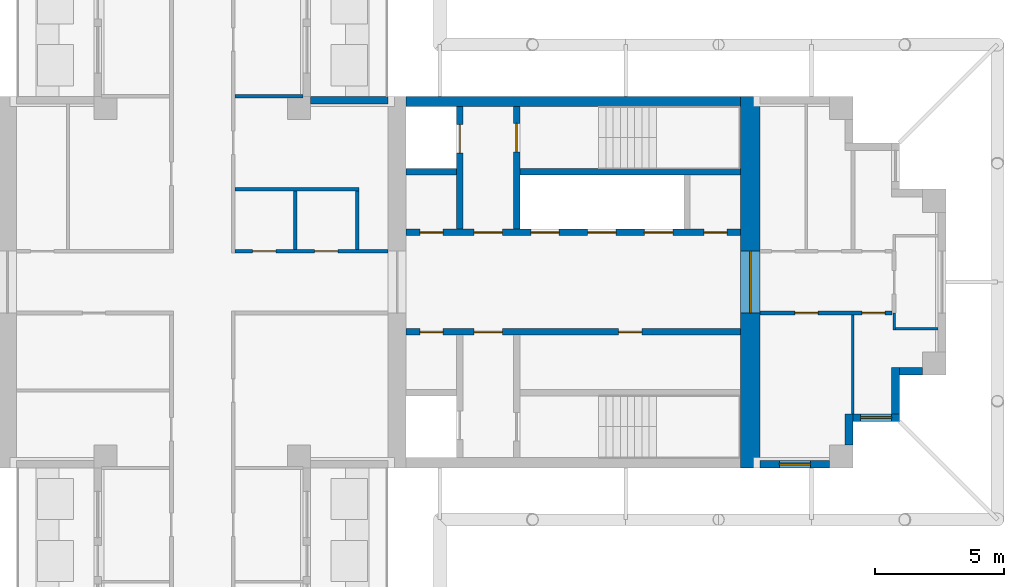
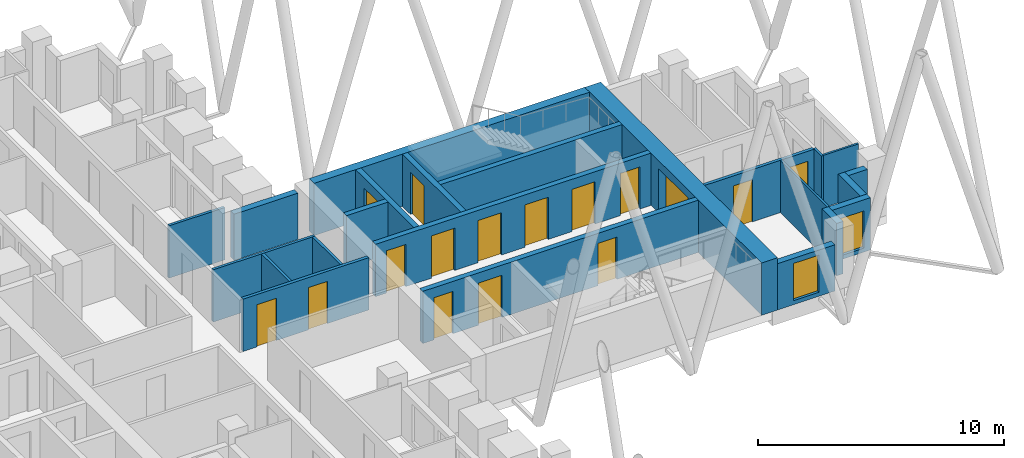
# One storey, part 6 of 11: 23 walls, 16 doors, 2 windows, 18 openings.
"""IFC4 building model written with IfcOpenShell, lengths in metres."""

from ifc_helpers import new_model, si_unit, direction, frame, frame_2d, origin, place, context, subcontext, project, spatial, rectangle, extrude, material, layer, layer_set, type_object, element, fill, save


model = new_model("IFC4")

# Units and contexts
model_context = context("Model", 3, precision=1e-05, world=origin(), true_north=direction((0.0, 1.0)))
body_context = subcontext(model_context, "Body", "Model", "MODEL_VIEW")
ifc_project = project(units=[si_unit("LENGTHUNIT", "METRE"), si_unit("AREAUNIT", "SQUARE_METRE"), si_unit("VOLUMEUNIT", "CUBIC_METRE"), si_unit("PLANEANGLEUNIT", "RADIAN"), si_unit("MASSUNIT", "GRAM", prefix="KILO")], contexts=[model_context])

# Site, building, storey
site_placement = place(None, origin())
site = spatial("IfcSite", under=ifc_project, at=site_placement, CompositionType="ELEMENT")
building_placement = place(site_placement, origin())
building = spatial("IfcBuilding", under=site, at=building_placement, Name="Fustian Cross Tower", CompositionType="ELEMENT")
storey_placement = place(building_placement, frame((0.0, 0.0, 222.89990234375)))
storey = spatial("IfcBuildingStorey", under=building, at=storey_placement, Name="L70", CompositionType="ELEMENT", Elevation=222.89990234375)

# Wall, openings, doors
ifc_material_1 = material(Name="Plasterboard on steel stud", Category="steel")
ifc_layer_1 = layer(ifc_material_1, 0.14990234375)
ifc_layer_set_1 = layer_set([ifc_layer_1], Name="Plasterboard on steel stud")
wall_type_1 = type_object("IfcWallType", Name="COMPARTMENT WALL 150 EI 60", PredefinedType="PARTITIONING", material=ifc_layer_set_1)
wall_1_placement = place(storey_placement, frame((1.27490234375, 1.199951171875, 0.0), z_axis=(0.0, 0.0, 1.0), x_axis=(1.0, 0.0, 0.0)))
wall_1 = element("IfcWall", 1, at=wall_1_placement, inside=storey, type_object=wall_type_1, Name="Partition 40", PredefinedType="PARTITIONING", context=body_context, shape_type="SweptSolid", body=[
    extrude(rectangle(XDim=5.925048828125, YDim=0.14990234375, at=frame_2d((2.96240234375, 0.0))), origin(), (0.0, 0.0, 1.0), 2.60009765625),
])
opening_1_placement = place(wall_1_placement, frame((0.675048828125, 0.0, 0.0)))
opening_1 = element("IfcOpeningElement", 2, at=opening_1_placement, cuts=wall_1, Name="Opening D31001", PredefinedType="OPENING", context=body_context, shape_type="SweptSolid", body=[
    extrude(rectangle(XDim=0.89990234375, YDim=2.10009765625, at=frame_2d((0.449951171875, 1.050048828125))), frame((0.0, 0.0849609375, 0.0), z_axis=(0.0, -1.0, 0.0), x_axis=(1.0, 0.0, 0.0)), (0.0, 0.0, 1.0), 0.169921875),
])
opening_2_placement = place(wall_1_placement, frame((3.074951171875, 0.0, 0.0)))
opening_2 = element("IfcOpeningElement", 3, at=opening_2_placement, cuts=wall_1, Name="Opening D31002", PredefinedType="OPENING", context=body_context, shape_type="SweptSolid", body=[
    extrude(rectangle(XDim=0.89990234375, YDim=2.10009765625, at=frame_2d((0.449951171875, 1.050048828125))), frame((0.0, 0.0849609375, 0.0), z_axis=(0.0, -1.0, 0.0), x_axis=(1.0, 0.0, 0.0)), (0.0, 0.0, 1.0), 0.169921875),
])
ifc_material_2 = material(Name="Timber fire door set", Category="wood")
door_type_1 = type_object("IfcDoorType", Name="FIRE SWING DOOR 900 FD30S", OperationType="SINGLE_SWING_LEFT", PredefinedType="DOOR", material=ifc_material_2)
door_1_placement = place(opening_1_placement, origin())
door_1 = element("IfcDoor", 4, at=door_1_placement, inside=storey, type_object=door_type_1, Name="Door D31001", OperationType="SINGLE_SWING_LEFT", OverallHeight=2.10009765625, OverallWidth=0.89990234375, PredefinedType="DOOR", context=body_context, shape_type="SweptSolid", body=[
    extrude(rectangle(XDim=0.89990234375, YDim=2.10009765625, at=frame_2d((0.449951171875, 1.050048828125))), frame((0.0, 0.02490234375, 0.0), z_axis=(0.0, -1.0, 0.0), x_axis=(1.0, 0.0, 0.0)), (0.0, 0.0, 1.0), 0.050048828125),
])
fill(opening_1, door_1)
door_2_placement = place(opening_2_placement, origin())
door_2 = element("IfcDoor", 5, at=door_2_placement, inside=storey, type_object=door_type_1, Name="Door D31002", OperationType="SINGLE_SWING_LEFT", OverallHeight=2.10009765625, OverallWidth=0.89990234375, PredefinedType="DOOR", context=body_context, shape_type="SweptSolid", body=[
    extrude(rectangle(XDim=0.89990234375, YDim=2.10009765625, at=frame_2d((0.449951171875, 1.050048828125))), frame((0.0, 0.02490234375, 0.0), z_axis=(0.0, -1.0, 0.0), x_axis=(1.0, 0.0, 0.0)), (0.0, 0.0, 1.0), 0.050048828125),
])
fill(opening_2, door_2)

wall_2_placement = place(storey_placement, frame((21.60009765625, -1.199951171875, 0.0), z_axis=(0.0, 0.0, 1.0), x_axis=(1.0, 0.0, 0.0)))
wall_2 = element("IfcWall", 6, at=wall_2_placement, inside=storey, type_object=wall_type_1, Name="Partition 50", PredefinedType="PARTITIONING", context=body_context, shape_type="SweptSolid", body=[
    extrude(rectangle(XDim=5.125, YDim=0.14990234375, at=frame_2d((2.5625, 0.0))), origin(), (0.0, 0.0, 1.0), 2.60009765625),
])
opening_3_placement = place(wall_2_placement, frame((1.35009765625, 0.0, 0.0)))
opening_3 = element("IfcOpeningElement", 7, at=opening_3_placement, cuts=wall_2, Name="Opening D31013", PredefinedType="OPENING", context=body_context, shape_type="SweptSolid", body=[
    extrude(rectangle(XDim=0.89990234375, YDim=2.10009765625, at=frame_2d((0.449951171875, 1.050048828125))), frame((0.0, 0.0849609375, 0.0), z_axis=(0.0, -1.0, 0.0), x_axis=(1.0, 0.0, 0.0)), (0.0, 0.0, 1.0), 0.169921875),
])
opening_4_placement = place(wall_2_placement, frame((3.949951171875, 0.0, 0.0)))
opening_4 = element("IfcOpeningElement", 8, at=opening_4_placement, cuts=wall_2, Name="Opening D31014", PredefinedType="OPENING", context=body_context, shape_type="SweptSolid", body=[
    extrude(rectangle(XDim=0.89990234375, YDim=2.10009765625, at=frame_2d((0.449951171875, 1.050048828125))), frame((0.0, 0.0849609375, 0.0), z_axis=(0.0, -1.0, 0.0), x_axis=(1.0, 0.0, 0.0)), (0.0, 0.0, 1.0), 0.169921875),
])
door_3_placement = place(opening_3_placement, frame((0.89990234375, 0.0, 0.0), z_axis=(0.0, 0.0, 1.0), x_axis=(-1.0, 0.0, 0.0)))
door_3 = element("IfcDoor", 9, at=door_3_placement, inside=storey, type_object=door_type_1, Name="Door D31013", OperationType="SINGLE_SWING_RIGHT", OverallHeight=2.10009765625, OverallWidth=0.89990234375, PredefinedType="DOOR", context=body_context, shape_type="SweptSolid", body=[
    extrude(rectangle(XDim=0.89990234375, YDim=2.10009765625, at=frame_2d((0.449951171875, 1.050048828125))), frame((0.0, 0.02490234375, 0.0), z_axis=(0.0, -1.0, 0.0), x_axis=(1.0, 0.0, 0.0)), (0.0, 0.0, 1.0), 0.050048828125),
])
fill(opening_3, door_3)
door_4_placement = place(opening_4_placement, frame((0.89990234375, 0.0, 0.0), z_axis=(0.0, 0.0, 1.0), x_axis=(-1.0, 0.0, 0.0)))
door_4 = element("IfcDoor", 10, at=door_4_placement, inside=storey, type_object=door_type_1, Name="Door D31014", OperationType="SINGLE_SWING_RIGHT", OverallHeight=2.10009765625, OverallWidth=0.89990234375, PredefinedType="DOOR", context=body_context, shape_type="SweptSolid", body=[
    extrude(rectangle(XDim=0.89990234375, YDim=2.10009765625, at=frame_2d((0.449951171875, 1.050048828125))), frame((0.0, 0.02490234375, 0.0), z_axis=(0.0, -1.0, 0.0), x_axis=(1.0, 0.0, 0.0)), (0.0, 0.0, 1.0), 0.050048828125),
])
fill(opening_4, door_4)

# Wall, opening, door
ifc_material_3 = material(Name="Concrete C50/60", Category="concrete")
ifc_layer_2 = layer(ifc_material_3, 0.75)
ifc_layer_set_2 = layer_set([ifc_layer_2], Name="Concrete C50/60")
wall_type_2 = type_object("IfcWallType", Name="CORE END WALL 750 C50/60", PredefinedType="SHEAR", material=ifc_layer_set_2)
wall_3_placement = place(storey_placement, frame((21.22509765625, -7.199951171875, 0.0), z_axis=(0.0, 0.0, 1.0), x_axis=(0.0, 1.0, 0.0)))
wall_3 = element("IfcWall", 11, at=wall_3_placement, inside=storey, type_object=wall_type_2, Name="Core end wall", PredefinedType="SHEAR", context=body_context, shape_type="SweptSolid", body=[
    extrude(rectangle(XDim=14.39990234375, YDim=0.75, at=frame_2d((7.199951171875, 0.0))), origin(), (0.0, 0.0, 1.0), 2.60009765625),
])
opening_5_placement = place(wall_3_placement, frame((6.0, 0.0, 0.0)))
opening_5 = element("IfcOpeningElement", 12, at=opening_5_placement, cuts=wall_3, Name="Opening CD-29-13", PredefinedType="OPENING", context=body_context, shape_type="SweptSolid", body=[
    extrude(rectangle(XDim=2.39990234375, YDim=2.199951171875, at=frame_2d((1.199951171875, 1.10009765625))), frame((0.0, 0.385009765625, 0.0), z_axis=(0.0, -1.0, 0.0), x_axis=(1.0, 0.0, 0.0)), (0.0, 0.0, 1.0), 0.77001953125),
])
ifc_material_4 = material(Name="Steel", Category="steel")
door_type_2 = type_object("IfcDoorType", Name="FIRE DOOR FD30S DOUBLE 2400X2200", OperationType="DOUBLE_DOOR_DOUBLE_SWING", PredefinedType="DOOR", material=ifc_material_4)
door_5_placement = place(opening_5_placement, origin())
door_5 = element("IfcDoor", 13, at=door_5_placement, inside=storey, type_object=door_type_2, Name="Core door CD-29-13", OperationType="DOUBLE_DOOR_DOUBLE_SWING", OverallHeight=2.199951171875, OverallWidth=2.39990234375, PredefinedType="DOOR", context=body_context, shape_type="SweptSolid", body=[
    extrude(rectangle(XDim=2.39990234375, YDim=2.199951171875, at=frame_2d((1.199951171875, 1.10009765625))), frame((0.0, 0.02490234375, 0.0), z_axis=(0.0, -1.0, 0.0), x_axis=(1.0, 0.0, 0.0)), (0.0, 0.0, 1.0), 0.050048828125),
])
fill(opening_5, door_5)

# Wall
ifc_material_5 = material(Name="Concrete C50/60", Category="concrete")
ifc_layer_3 = layer(ifc_material_5, 0.39990234375)
ifc_layer_set_3 = layer_set([ifc_layer_3], Name="Concrete C50/60")
wall_type_3 = type_object("IfcWallType", Name="CORE FACADE WALL 400 C50/60", PredefinedType="SHEAR", material=ifc_layer_set_3)
wall_4_placement = place(storey_placement, frame((7.89990234375, 7.0, 0.0), z_axis=(0.0, 0.0, 1.0), x_axis=(1.0, 0.0, 0.0)))
element("IfcWall", 14, at=wall_4_placement, inside=storey, type_object=wall_type_3, Name="Core facade wall", PredefinedType="SHEAR", context=body_context, shape_type="SweptSolid", body=[
    extrude(rectangle(XDim=12.9501953125, YDim=0.39990234375, at=frame_2d((6.47509765625, 0.0))), origin(), (0.0, 0.0, 1.0), 2.60009765625),
])

# Wall, openings, doors
ifc_material_6 = material(Name="Concrete C50/60", Category="concrete")
ifc_layer_4 = layer(ifc_material_6, 0.25)
ifc_layer_set_4 = layer_set([ifc_layer_4], Name="Concrete C50/60")
wall_type_4 = type_object("IfcWallType", Name="CORE LOBBY WALL 250 C50/60", PredefinedType="SHEAR", material=ifc_layer_set_4)
wall_5_placement = place(storey_placement, frame((7.89990234375, 1.925048828125, 0.0), z_axis=(0.0, 0.0, 1.0), x_axis=(1.0, 0.0, 0.0)))
wall_5 = element("IfcWall", 15, at=wall_5_placement, inside=storey, type_object=wall_type_4, Name="Core lobby wall", PredefinedType="SHEAR", context=body_context, shape_type="SweptSolid", body=[
    extrude(rectangle(XDim=12.9501953125, YDim=0.25, at=frame_2d((6.47509765625, 0.0))), origin(), (0.0, 0.0, 1.0), 2.60009765625),
])
opening_6_placement = place(wall_5_placement, frame((4.824951171875, 0.0, 0.0)))
opening_6 = element("IfcOpeningElement", 16, at=opening_6_placement, cuts=wall_5, Name="Opening LD", PredefinedType="OPENING", context=body_context, shape_type="SweptSolid", body=[
    extrude(rectangle(XDim=1.10009765625, YDim=2.10009765625, at=frame_2d((0.550048828125, 1.050048828125))), frame((0.0, 0.135009765625, 0.0), z_axis=(0.0, -1.0, 0.0), x_axis=(1.0, 0.0, 0.0)), (0.0, 0.0, 1.0), 0.27001953125),
])
opening_7_placement = place(wall_5_placement, frame((7.02490234375, 0.0, 0.0)))
opening_7 = element("IfcOpeningElement", 17, at=opening_7_placement, cuts=wall_5, Name="Opening LD", PredefinedType="OPENING", context=body_context, shape_type="SweptSolid", body=[
    extrude(rectangle(XDim=1.10009765625, YDim=2.10009765625, at=frame_2d((0.550048828125, 1.050048828125))), frame((0.0, 0.135009765625, 0.0), z_axis=(0.0, -1.0, 0.0), x_axis=(1.0, 0.0, 0.0)), (0.0, 0.0, 1.0), 0.27001953125),
])
opening_8_placement = place(wall_5_placement, frame((9.22509765625, 0.0, 0.0)))
opening_8 = element("IfcOpeningElement", 18, at=opening_8_placement, cuts=wall_5, Name="Opening LD", PredefinedType="OPENING", context=body_context, shape_type="SweptSolid", body=[
    extrude(rectangle(XDim=1.10009765625, YDim=2.10009765625, at=frame_2d((0.550048828125, 1.050048828125))), frame((0.0, 0.135009765625, 0.0), z_axis=(0.0, -1.0, 0.0), x_axis=(1.0, 0.0, 0.0)), (0.0, 0.0, 1.0), 0.27001953125),
])
opening_9_placement = place(wall_5_placement, frame((0.52490234375, 0.0, 0.0)))
opening_9 = element("IfcOpeningElement", 19, at=opening_9_placement, cuts=wall_5, Name="Opening CD-29-08", PredefinedType="OPENING", context=body_context, shape_type="SweptSolid", body=[
    extrude(rectangle(XDim=0.89990234375, YDim=2.10009765625, at=frame_2d((0.449951171875, 1.050048828125))), frame((0.0, 0.135009765625, 0.0), z_axis=(0.0, -1.0, 0.0), x_axis=(1.0, 0.0, 0.0)), (0.0, 0.0, 1.0), 0.27001953125),
])
opening_10_placement = place(wall_5_placement, frame((2.625, 0.0, 0.0)))
opening_10 = element("IfcOpeningElement", 20, at=opening_10_placement, cuts=wall_5, Name="Opening CD-29-10", PredefinedType="OPENING", context=body_context, shape_type="SweptSolid", body=[
    extrude(rectangle(XDim=1.10009765625, YDim=2.10009765625, at=frame_2d((0.550048828125, 1.050048828125))), frame((0.0, 0.135009765625, 0.0), z_axis=(0.0, -1.0, 0.0), x_axis=(1.0, 0.0, 0.0)), (0.0, 0.0, 1.0), 0.27001953125),
])
opening_11_placement = place(wall_5_placement, frame((11.52490234375, 0.0, 0.0)))
opening_11 = element("IfcOpeningElement", 21, at=opening_11_placement, cuts=wall_5, Name="Opening CD-29-14", PredefinedType="OPENING", context=body_context, shape_type="SweptSolid", body=[
    extrude(rectangle(XDim=0.89990234375, YDim=2.10009765625, at=frame_2d((0.449951171875, 1.050048828125))), frame((0.0, 0.135009765625, 0.0), z_axis=(0.0, -1.0, 0.0), x_axis=(1.0, 0.0, 0.0)), (0.0, 0.0, 1.0), 0.27001953125),
])
ifc_material_7 = material(Name="Steel", Category="steel")
door_type_3 = type_object("IfcDoorType", Name="FIRE DOOR FD30S 900X2100", OperationType="SINGLE_SWING_LEFT", PredefinedType="DOOR", material=ifc_material_7)
door_6_placement = place(opening_11_placement, origin())
door_6 = element("IfcDoor", 22, at=door_6_placement, inside=storey, type_object=door_type_3, Name="Core door CD-29-14", OperationType="SINGLE_SWING_LEFT", OverallHeight=2.10009765625, OverallWidth=0.89990234375, PredefinedType="DOOR", context=body_context, shape_type="SweptSolid", body=[
    extrude(rectangle(XDim=0.89990234375, YDim=2.10009765625, at=frame_2d((0.449951171875, 1.050048828125))), frame((0.0, 0.02490234375, 0.0), z_axis=(0.0, -1.0, 0.0), x_axis=(1.0, 0.0, 0.0)), (0.0, 0.0, 1.0), 0.050048828125),
])
fill(opening_11, door_6)
ifc_material_8 = material(Name="Steel", Category="steel")
door_type_4 = type_object("IfcDoorType", Name="FIRE DOOR FD60S 1100X2100", OperationType="SINGLE_SWING_LEFT", PredefinedType="DOOR", material=ifc_material_8)
door_7_placement = place(opening_10_placement, frame((1.10009765625, 0.0, 0.0), z_axis=(0.0, 0.0, 1.0), x_axis=(-1.0, 0.0, 0.0)))
door_7 = element("IfcDoor", 23, at=door_7_placement, inside=storey, type_object=door_type_4, Name="Core door CD-29-10", OperationType="SINGLE_SWING_RIGHT", OverallHeight=2.10009765625, OverallWidth=1.10009765625, PredefinedType="DOOR", context=body_context, shape_type="SweptSolid", body=[
    extrude(rectangle(XDim=1.10009765625, YDim=2.10009765625, at=frame_2d((0.550048828125, 1.050048828125))), frame((0.0, 0.02490234375, 0.0), z_axis=(0.0, -1.0, 0.0), x_axis=(1.0, 0.0, 0.0)), (0.0, 0.0, 1.0), 0.050048828125),
])
fill(opening_10, door_7)
ifc_material_9 = material(Name="Steel", Category="steel")
door_type_5 = type_object("IfcDoorType", Name="FIRE DOOR FD60S 900X2100", OperationType="SINGLE_SWING_LEFT", PredefinedType="DOOR", material=ifc_material_9)
door_8_placement = place(opening_9_placement, origin())
door_8 = element("IfcDoor", 24, at=door_8_placement, inside=storey, type_object=door_type_5, Name="Core door CD-29-08", OperationType="SINGLE_SWING_LEFT", OverallHeight=2.10009765625, OverallWidth=0.89990234375, PredefinedType="DOOR", context=body_context, shape_type="SweptSolid", body=[
    extrude(rectangle(XDim=0.89990234375, YDim=2.10009765625, at=frame_2d((0.449951171875, 1.050048828125))), frame((0.0, 0.02490234375, 0.0), z_axis=(0.0, -1.0, 0.0), x_axis=(1.0, 0.0, 0.0)), (0.0, 0.0, 1.0), 0.050048828125),
])
fill(opening_9, door_8)
ifc_material_10 = material(Name="Stainless steel", Category="steel")
door_type_6 = type_object("IfcDoorType", Name="LIFT LANDING DOOR 1100X2100", OperationType="SLIDING_TO_LEFT", PredefinedType="DOOR", material=ifc_material_10)
door_9_placement = place(opening_6_placement, origin())
door_9 = element("IfcDoor", 25, at=door_9_placement, inside=storey, type_object=door_type_6, Name="Landing door HR1", OperationType="SLIDING_TO_LEFT", OverallHeight=2.10009765625, OverallWidth=1.10009765625, PredefinedType="DOOR", context=body_context, shape_type="SweptSolid", body=[
    extrude(rectangle(XDim=1.10009765625, YDim=2.10009765625, at=frame_2d((0.550048828125, 1.050048828125))), frame((0.0, 0.02490234375, 0.0), z_axis=(0.0, -1.0, 0.0), x_axis=(1.0, 0.0, 0.0)), (0.0, 0.0, 1.0), 0.050048828125),
])
fill(opening_6, door_9)
door_10_placement = place(opening_7_placement, origin())
door_10 = element("IfcDoor", 26, at=door_10_placement, inside=storey, type_object=door_type_6, Name="Landing door HR2", OperationType="SLIDING_TO_LEFT", OverallHeight=2.10009765625, OverallWidth=1.10009765625, PredefinedType="DOOR", context=body_context, shape_type="SweptSolid", body=[
    extrude(rectangle(XDim=1.10009765625, YDim=2.10009765625, at=frame_2d((0.550048828125, 1.050048828125))), frame((0.0, 0.02490234375, 0.0), z_axis=(0.0, -1.0, 0.0), x_axis=(1.0, 0.0, 0.0)), (0.0, 0.0, 1.0), 0.050048828125),
])
fill(opening_7, door_10)
door_11_placement = place(opening_8_placement, origin())
door_11 = element("IfcDoor", 27, at=door_11_placement, inside=storey, type_object=door_type_6, Name="Landing door HR3", OperationType="SLIDING_TO_LEFT", OverallHeight=2.10009765625, OverallWidth=1.10009765625, PredefinedType="DOOR", context=body_context, shape_type="SweptSolid", body=[
    extrude(rectangle(XDim=1.10009765625, YDim=2.10009765625, at=frame_2d((0.550048828125, 1.050048828125))), frame((0.0, 0.02490234375, 0.0), z_axis=(0.0, -1.0, 0.0), x_axis=(1.0, 0.0, 0.0)), (0.0, 0.0, 1.0), 0.050048828125),
])
fill(opening_8, door_11)

wall_6_placement = place(storey_placement, frame((7.89990234375, -1.925048828125, 0.0), z_axis=(0.0, 0.0, 1.0), x_axis=(1.0, 0.0, 0.0)))
wall_6 = element("IfcWall", 28, at=wall_6_placement, inside=storey, type_object=wall_type_4, Name="Core lobby wall", PredefinedType="SHEAR", context=body_context, shape_type="SweptSolid", body=[
    extrude(rectangle(XDim=12.9501953125, YDim=0.25, at=frame_2d((6.47509765625, 0.0))), origin(), (0.0, 0.0, 1.0), 2.60009765625),
])
opening_12_placement = place(wall_6_placement, frame((0.52490234375, 0.0, 0.0)))
opening_12 = element("IfcOpeningElement", 29, at=opening_12_placement, cuts=wall_6, Name="Opening CD-29-09", PredefinedType="OPENING", context=body_context, shape_type="SweptSolid", body=[
    extrude(rectangle(XDim=0.89990234375, YDim=2.10009765625, at=frame_2d((0.449951171875, 1.050048828125))), frame((0.0, 0.135009765625, 0.0), z_axis=(0.0, -1.0, 0.0), x_axis=(1.0, 0.0, 0.0)), (0.0, 0.0, 1.0), 0.27001953125),
])
opening_13_placement = place(wall_6_placement, frame((2.625, 0.0, 0.0)))
opening_13 = element("IfcOpeningElement", 30, at=opening_13_placement, cuts=wall_6, Name="Opening CD-29-11", PredefinedType="OPENING", context=body_context, shape_type="SweptSolid", body=[
    extrude(rectangle(XDim=1.10009765625, YDim=2.10009765625, at=frame_2d((0.550048828125, 1.050048828125))), frame((0.0, 0.135009765625, 0.0), z_axis=(0.0, -1.0, 0.0), x_axis=(1.0, 0.0, 0.0)), (0.0, 0.0, 1.0), 0.27001953125),
])
opening_14_placement = place(wall_6_placement, frame((8.22509765625, 0.0, 0.0)))
opening_14 = element("IfcOpeningElement", 31, at=opening_14_placement, cuts=wall_6, Name="Opening CD-29-15", PredefinedType="OPENING", context=body_context, shape_type="SweptSolid", body=[
    extrude(rectangle(XDim=0.89990234375, YDim=2.10009765625, at=frame_2d((0.449951171875, 1.050048828125))), frame((0.0, 0.135009765625, 0.0), z_axis=(0.0, -1.0, 0.0), x_axis=(1.0, 0.0, 0.0)), (0.0, 0.0, 1.0), 0.27001953125),
])
ifc_material_11 = material(Name="Steel", Category="steel")
door_type_7 = type_object("IfcDoorType", Name="FIRE DOOR FD30S 1100X2100", OperationType="SINGLE_SWING_LEFT", PredefinedType="DOOR", material=ifc_material_11)
door_12_placement = place(opening_13_placement, frame((1.10009765625, 0.0, 0.0), z_axis=(0.0, 0.0, 1.0), x_axis=(-1.0, 0.0, 0.0)))
door_12 = element("IfcDoor", 32, at=door_12_placement, inside=storey, type_object=door_type_7, Name="Core door CD-29-11", OperationType="SINGLE_SWING_RIGHT", OverallHeight=2.10009765625, OverallWidth=1.10009765625, PredefinedType="DOOR", context=body_context, shape_type="SweptSolid", body=[
    extrude(rectangle(XDim=1.10009765625, YDim=2.10009765625, at=frame_2d((0.550048828125, 1.050048828125))), frame((0.0, 0.02490234375, 0.0), z_axis=(0.0, -1.0, 0.0), x_axis=(1.0, 0.0, 0.0)), (0.0, 0.0, 1.0), 0.050048828125),
])
fill(opening_13, door_12)
door_13_placement = place(opening_12_placement, frame((0.89990234375, 0.0, 0.0), z_axis=(0.0, 0.0, 1.0), x_axis=(-1.0, 0.0, 0.0)))
door_13 = element("IfcDoor", 33, at=door_13_placement, inside=storey, type_object=door_type_3, Name="Core door CD-29-09", OperationType="SINGLE_SWING_RIGHT", OverallHeight=2.10009765625, OverallWidth=0.89990234375, PredefinedType="DOOR", context=body_context, shape_type="SweptSolid", body=[
    extrude(rectangle(XDim=0.89990234375, YDim=2.10009765625, at=frame_2d((0.449951171875, 1.050048828125))), frame((0.0, 0.02490234375, 0.0), z_axis=(0.0, -1.0, 0.0), x_axis=(1.0, 0.0, 0.0)), (0.0, 0.0, 1.0), 0.050048828125),
])
fill(opening_12, door_13)
door_14_placement = place(opening_14_placement, frame((0.89990234375, 0.0, 0.0), z_axis=(0.0, 0.0, 1.0), x_axis=(-1.0, 0.0, 0.0)))
door_14 = element("IfcDoor", 34, at=door_14_placement, inside=storey, type_object=door_type_3, Name="Core door CD-29-15", OperationType="SINGLE_SWING_LEFT", OverallHeight=2.10009765625, OverallWidth=0.89990234375, PredefinedType="DOOR", context=body_context, shape_type="SweptSolid", body=[
    extrude(rectangle(XDim=0.89990234375, YDim=2.10009765625, at=frame_2d((0.449951171875, 1.050048828125))), frame((0.0, 0.02490234375, 0.0), z_axis=(0.0, -1.0, 0.0), x_axis=(1.0, 0.0, 0.0)), (0.0, 0.0, 1.0), 0.050048828125),
])
fill(opening_14, door_14)

# Walls
ifc_material_12 = material(Name="Concrete C50/60", Category="concrete")
ifc_layer_5 = layer(ifc_material_12, 0.25)
ifc_layer_set_5 = layer_set([ifc_layer_5], Name="Concrete C50/60")
wall_type_5 = type_object("IfcWallType", Name="CORE SHAFT WALL 250 C50/60", PredefinedType="SHEAR", material=ifc_layer_set_5)
wall_7_placement = place(storey_placement, frame((7.89990234375, 4.27490234375, 0.0), z_axis=(0.0, 0.0, 1.0), x_axis=(1.0, 0.0, 0.0)))
element("IfcWall", 35, at=wall_7_placement, inside=storey, type_object=wall_type_5, Name="Core shaft wall", PredefinedType="SHEAR", context=body_context, shape_type="SweptSolid", body=[
    extrude(rectangle(XDim=1.9501953125, YDim=0.25, at=frame_2d((0.97509765625, 0.0))), origin(), (0.0, 0.0, 1.0), 2.60009765625),
])
wall_8_placement = place(storey_placement, frame((12.300048828125, 4.27490234375, 0.0), z_axis=(0.0, 0.0, 1.0), x_axis=(1.0, 0.0, 0.0)))
element("IfcWall", 36, at=wall_8_placement, inside=storey, type_object=wall_type_5, Name="Core shaft wall", PredefinedType="SHEAR", context=body_context, shape_type="SweptSolid", body=[
    extrude(rectangle(XDim=8.550048828125, YDim=0.25, at=frame_2d((4.27490234375, 0.0))), origin(), (0.0, 0.0, 1.0), 2.60009765625),
])

# Wall, opening, door
wall_9_placement = place(storey_placement, frame((9.97509765625, 2.050048828125, 0.0), z_axis=(0.0, 0.0, 1.0), x_axis=(0.0, 1.0, 0.0)))
wall_9 = element("IfcWall", 37, at=wall_9_placement, inside=storey, type_object=wall_type_5, Name="Core shaft wall", PredefinedType="SHEAR", context=body_context, shape_type="SweptSolid", body=[
    extrude(rectangle(XDim=4.75, YDim=0.25, at=frame_2d((2.375, 0.0))), origin(), (0.0, 0.0, 1.0), 2.60009765625),
])
opening_15_placement = place(wall_9_placement, frame((2.949951171875, 0.0, 0.0)))
opening_15 = element("IfcOpeningElement", 38, at=opening_15_placement, cuts=wall_9, Name="Opening LD", PredefinedType="OPENING", context=body_context, shape_type="SweptSolid", body=[
    extrude(rectangle(XDim=1.10009765625, YDim=2.10009765625, at=frame_2d((0.550048828125, 1.050048828125))), frame((0.0, 0.135009765625, 0.0), z_axis=(0.0, -1.0, 0.0), x_axis=(1.0, 0.0, 0.0)), (0.0, 0.0, 1.0), 0.27001953125),
])
door_15_placement = place(opening_15_placement, origin())
door_15 = element("IfcDoor", 39, at=door_15_placement, inside=storey, type_object=door_type_6, Name="Landing door FL1", OperationType="SLIDING_TO_LEFT", OverallHeight=2.10009765625, OverallWidth=1.10009765625, PredefinedType="DOOR", context=body_context, shape_type="SweptSolid", body=[
    extrude(rectangle(XDim=1.10009765625, YDim=2.10009765625, at=frame_2d((0.550048828125, 1.050048828125))), frame((0.0, 0.02490234375, 0.0), z_axis=(0.0, -1.0, 0.0), x_axis=(1.0, 0.0, 0.0)), (0.0, 0.0, 1.0), 0.050048828125),
])
fill(opening_15, door_15)

wall_10_placement = place(storey_placement, frame((12.175048828125, 2.050048828125, 0.0), z_axis=(0.0, 0.0, 1.0), x_axis=(0.0, 1.0, 0.0)))
wall_10 = element("IfcWall", 40, at=wall_10_placement, inside=storey, type_object=wall_type_5, Name="Core shaft wall", PredefinedType="SHEAR", context=body_context, shape_type="SweptSolid", body=[
    extrude(rectangle(XDim=4.75, YDim=0.25, at=frame_2d((2.375, 0.0))), origin(), (0.0, 0.0, 1.0), 2.60009765625),
])
opening_16_placement = place(wall_10_placement, frame((3.0, 0.0, 0.0)))
opening_16 = element("IfcOpeningElement", 41, at=opening_16_placement, cuts=wall_10, Name="Opening CD-29-06", PredefinedType="OPENING", context=body_context, shape_type="SweptSolid", body=[
    extrude(rectangle(XDim=1.10009765625, YDim=2.10009765625, at=frame_2d((0.550048828125, 1.050048828125))), frame((0.0, 0.135009765625, 0.0), z_axis=(0.0, -1.0, 0.0), x_axis=(1.0, 0.0, 0.0)), (0.0, 0.0, 1.0), 0.27001953125),
])
door_16_placement = place(opening_16_placement, frame((1.10009765625, 0.0, 0.0), z_axis=(0.0, 0.0, 1.0), x_axis=(-1.0, 0.0, 0.0)))
door_16 = element("IfcDoor", 42, at=door_16_placement, inside=storey, type_object=door_type_4, Name="Core door CD-29-06", OperationType="SINGLE_SWING_RIGHT", OverallHeight=2.10009765625, OverallWidth=1.10009765625, PredefinedType="DOOR", context=body_context, shape_type="SweptSolid", body=[
    extrude(rectangle(XDim=1.10009765625, YDim=2.10009765625, at=frame_2d((0.550048828125, 1.050048828125))), frame((0.0, 0.02490234375, 0.0), z_axis=(0.0, -1.0, 0.0), x_axis=(1.0, 0.0, 0.0)), (0.0, 0.0, 1.0), 0.050048828125),
])
fill(opening_16, door_16)

# Walls
ifc_material_13 = material(Name="Plasterboard on steel stud", Category="steel")
ifc_layer_6 = layer(ifc_material_13, 0.10009765625)
ifc_layer_set_6 = layer_set([ifc_layer_6], Name="Plasterboard on steel stud")
wall_type_6 = type_object("IfcWallType", Name="PARTITION 100 STUD", PredefinedType="PARTITIONING", material=ifc_layer_set_6)
wall_11_placement = place(storey_placement, frame((25.199951171875, -5.10009765625, 0.0), z_axis=(0.0, 0.0, 1.0), x_axis=(0.0, 1.0, 0.0)))
element("IfcWall", 43, at=wall_11_placement, inside=storey, type_object=wall_type_6, Name="Partition 53", PredefinedType="PARTITIONING", context=body_context, shape_type="SweptSolid", body=[
    extrude(rectangle(XDim=3.8251953125, YDim=0.10009765625, at=frame_2d((1.91259765625, 0.0))), origin(), (0.0, 0.0, 1.0), 2.60009765625),
])
wall_12_placement = place(storey_placement, frame((26.800048828125, -1.85009765625, 0.0), z_axis=(0.0, 0.0, 1.0), x_axis=(0.0, 1.0, 0.0)))
element("IfcWall", 44, at=wall_12_placement, inside=storey, type_object=wall_type_6, Name="Partition 55", PredefinedType="PARTITIONING", context=body_context, shape_type="SweptSolid", body=[
    extrude(rectangle(XDim=0.650146484375, YDim=0.10009765625, at=frame_2d((0.3251953125, 0.0))), origin(), (0.0, 0.0, 1.0), 2.60009765625),
])
wall_13_placement = place(storey_placement, frame((26.85009765625, -1.800048828125, 0.0), z_axis=(0.0, 0.0, 1.0), x_axis=(1.0, 0.0, 0.0)))
element("IfcWall", 45, at=wall_13_placement, inside=storey, type_object=wall_type_6, Name="Partition 56", PredefinedType="PARTITIONING", context=body_context, shape_type="SweptSolid", body=[
    extrude(rectangle(XDim=1.64990234375, YDim=0.10009765625, at=frame_2d((0.824951171875, 0.0))), origin(), (0.0, 0.0, 1.0), 2.60009765625),
])
ifc_material_14 = material(Name="Plasterboard on steel stud", Category="steel")
ifc_layer_7 = layer(ifc_material_14, 0.125)
ifc_layer_set_7 = layer_set([ifc_layer_7], Name="Plasterboard on steel stud")
wall_type_7 = type_object("IfcWallType", Name="WET WALL 125 STUD", PredefinedType="PARTITIONING", material=ifc_layer_set_7)
wall_14_placement = place(storey_placement, frame((1.27490234375, 3.60009765625, 0.0), z_axis=(0.0, 0.0, 1.0), x_axis=(1.0, 0.0, 0.0)))
element("IfcWall", 46, at=wall_14_placement, inside=storey, type_object=wall_type_7, Name="Partition 41", PredefinedType="PARTITIONING", context=body_context, shape_type="SweptSolid", body=[
    extrude(rectangle(XDim=4.78759765625, YDim=0.125, at=frame_2d((2.393798828125, 0.0))), origin(), (0.0, 0.0, 1.0), 2.60009765625),
])
wall_15_placement = place(storey_placement, frame((1.27490234375, 7.199951171875, 0.0), z_axis=(0.0, 0.0, 1.0), x_axis=(1.0, 0.0, 0.0)))
element("IfcWall", 47, at=wall_15_placement, inside=storey, type_object=wall_type_7, Name="Partition 42", PredefinedType="PARTITIONING", context=body_context, shape_type="SweptSolid", body=[
    extrude(rectangle(XDim=2.625, YDim=0.125, at=frame_2d((1.3125, 0.0))), origin(), (0.0, 0.0, 1.0), 2.60009765625),
])
for number, where, z_axis, x_axis, name in (
    (48, (3.60009765625, 1.27490234375, 0.0), (0.0, 0.0, 1.0), (0.0, 1.0, 0.0), "Partition 48"),
    (49, (6.0, 1.27490234375, 0.0), (0.0, 0.0, 1.0), (0.0, 1.0, 0.0), "Partition 49"),
):
    element("IfcWall", number, at=place(storey_placement, frame(where, z_axis=z_axis, x_axis=x_axis)), inside=storey, type_object=wall_type_7, Name=name, PredefinedType="PARTITIONING", context=body_context, shape_type="SweptSolid", body=[
        extrude(rectangle(XDim=2.2626953125, YDim=0.125, at=frame_2d((1.13134765625, 0.0))), origin(), (0.0, 0.0, 1.0), 2.60009765625),
    ])

# Wall, opening, window
ifc_material_15 = material(Name="Dark aluminium cladding on insulated backing wall", Category="aluminium")
ifc_layer_8 = layer(ifc_material_15, 0.300048828125)
ifc_layer_set_8 = layer_set([ifc_layer_8], Name="Dark aluminium cladding on insulated backing wall")
wall_type_8 = type_object("IfcWallType", Name="XW1 EXTERNAL WALL 300", PredefinedType="SOLIDWALL", material=ifc_layer_set_8)
wall_16_placement = place(storey_placement, frame((21.60009765625, -7.050048828125, 0.0), z_axis=(0.0, 0.0, 1.0), x_axis=(1.0, 0.0, 0.0)))
wall_16 = element("IfcWall", 50, at=wall_16_placement, inside=storey, type_object=wall_type_8, Name="External wall", PredefinedType="SOLIDWALL", context=body_context, shape_type="SweptSolid", body=[
    extrude(rectangle(XDim=2.699951171875, YDim=0.300048828125, at=frame_2d((1.35009765625, 0.0))), origin(), (0.0, 0.0, 1.0), 2.300048828125),
])
opening_17_placement = place(wall_16_placement, frame((0.75, 0.0, 0.199951171875)))
opening_17 = element("IfcOpeningElement", 51, at=opening_17_placement, cuts=wall_16, Name="Opening WN3", PredefinedType="OPENING", context=body_context, shape_type="SweptSolid", body=[
    extrude(rectangle(XDim=1.199951171875, YDim=1.85009765625, at=frame_2d((0.60009765625, 0.925048828125))), frame((0.0, 0.159912109375, 0.0), z_axis=(0.0, -1.0, 0.0), x_axis=(1.0, 0.0, 0.0)), (0.0, 0.0, 1.0), 0.320068359375),
])
ifc_material_16 = material(Name="Dark anodised aluminium and double glazing", Category="aluminium")
window_type = type_object("IfcWindowType", Name="WN3 WINDOW 1200X1850", PartitioningType="SINGLE_PANEL", PredefinedType="WINDOW", material=ifc_material_16)
window_1_placement = place(opening_17_placement, origin())
window_1 = element("IfcWindow", 52, at=window_1_placement, inside=storey, type_object=window_type, Name="Window", OverallHeight=1.85009765625, OverallWidth=1.199951171875, PartitioningType="SINGLE_PANEL", PredefinedType="WINDOW", context=body_context, shape_type="SweptSolid", body=[
    extrude(rectangle(XDim=1.199951171875, YDim=1.85009765625, at=frame_2d((0.60009765625, 0.925048828125))), frame((0.0, 0.030029296875, 0.0), z_axis=(0.0, -1.0, 0.0), x_axis=(1.0, 0.0, 0.0)), (0.0, 0.0, 1.0), 0.06005859375),
])
fill(opening_17, window_1)

# Wall
wall_17_placement = place(storey_placement, frame((25.050048828125, -6.300048828125, 0.0), z_axis=(0.0, 0.0, 1.0), x_axis=(0.0, 1.0, 0.0)))
element("IfcWall", 53, at=wall_17_placement, inside=storey, type_object=wall_type_8, Name="External wall", PredefinedType="SOLIDWALL", context=body_context, shape_type="SweptSolid", body=[
    extrude(rectangle(XDim=1.199951171875, YDim=0.300048828125, at=frame_2d((0.60009765625, 0.0))), origin(), (0.0, 0.0, 1.0), 2.60009765625),
])

# Wall, opening, window
wall_18_placement = place(storey_placement, frame((25.199951171875, -5.25, 0.0), z_axis=(0.0, 0.0, 1.0), x_axis=(1.0, 0.0, 0.0)))
wall_18 = element("IfcWall", 54, at=wall_18_placement, inside=storey, type_object=wall_type_8, Name="External wall", PredefinedType="SOLIDWALL", context=body_context, shape_type="SweptSolid", body=[
    extrude(rectangle(XDim=1.800048828125, YDim=0.300048828125, at=frame_2d((0.89990234375, 0.0))), origin(), (0.0, 0.0, 1.0), 2.60009765625),
])
opening_18_placement = place(wall_18_placement, frame((0.300048828125, 0.0, 0.199951171875)))
opening_18 = element("IfcOpeningElement", 55, at=opening_18_placement, cuts=wall_18, Name="Opening WN3", PredefinedType="OPENING", context=body_context, shape_type="SweptSolid", body=[
    extrude(rectangle(XDim=1.199951171875, YDim=1.85009765625, at=frame_2d((0.60009765625, 0.925048828125))), frame((0.0, 0.159912109375, 0.0), z_axis=(0.0, -1.0, 0.0), x_axis=(1.0, 0.0, 0.0)), (0.0, 0.0, 1.0), 0.320068359375),
])
window_2_placement = place(opening_18_placement, origin())
window_2 = element("IfcWindow", 56, at=window_2_placement, inside=storey, type_object=window_type, Name="Window", OverallHeight=1.85009765625, OverallWidth=1.199951171875, PartitioningType="SINGLE_PANEL", PredefinedType="WINDOW", context=body_context, shape_type="SweptSolid", body=[
    extrude(rectangle(XDim=1.199951171875, YDim=1.85009765625, at=frame_2d((0.60009765625, 0.925048828125))), frame((0.0, 0.030029296875, 0.0), z_axis=(0.0, -1.0, 0.0), x_axis=(1.0, 0.0, 0.0)), (0.0, 0.0, 1.0), 0.06005859375),
])
fill(opening_18, window_2)

# Walls
wall_19_placement = place(storey_placement, frame((26.85009765625, -5.10009765625, 0.0), z_axis=(0.0, 0.0, 1.0), x_axis=(0.0, 1.0, 0.0)))
element("IfcWall", 57, at=wall_19_placement, inside=storey, type_object=wall_type_8, Name="External wall", PredefinedType="SOLIDWALL", context=body_context, shape_type="SweptSolid", body=[
    extrude(rectangle(XDim=1.800048828125, YDim=0.300048828125, at=frame_2d((0.89990234375, 0.0))), origin(), (0.0, 0.0, 1.0), 2.60009765625),
])
wall_20_placement = place(storey_placement, frame((27.0, -3.449951171875, 0.0), z_axis=(0.0, 0.0, 1.0), x_axis=(1.0, 0.0, 0.0)))
element("IfcWall", 58, at=wall_20_placement, inside=storey, type_object=wall_type_8, Name="External wall", PredefinedType="SOLIDWALL", context=body_context, shape_type="SweptSolid", body=[
    extrude(rectangle(XDim=0.89990234375, YDim=0.300048828125, at=frame_2d((0.449951171875, 0.0))), origin(), (0.0, 0.0, 1.0), 2.60009765625),
])
wall_21_placement = place(storey_placement, frame((7.199951171875, 7.050048828125, 0.0), z_axis=(0.0, 0.0, 1.0), x_axis=(-1.0, 0.0, 0.0)))
element("IfcWall", 59, at=wall_21_placement, inside=storey, type_object=wall_type_8, Name="External wall", PredefinedType="SOLIDWALL", context=body_context, shape_type="SweptSolid", body=[
    extrude(rectangle(XDim=3.0, YDim=0.300048828125, at=frame_2d((1.5, 0.0))), origin(), (0.0, 0.0, 1.0), 2.300048828125),
])

save(model, "model.ifc")
